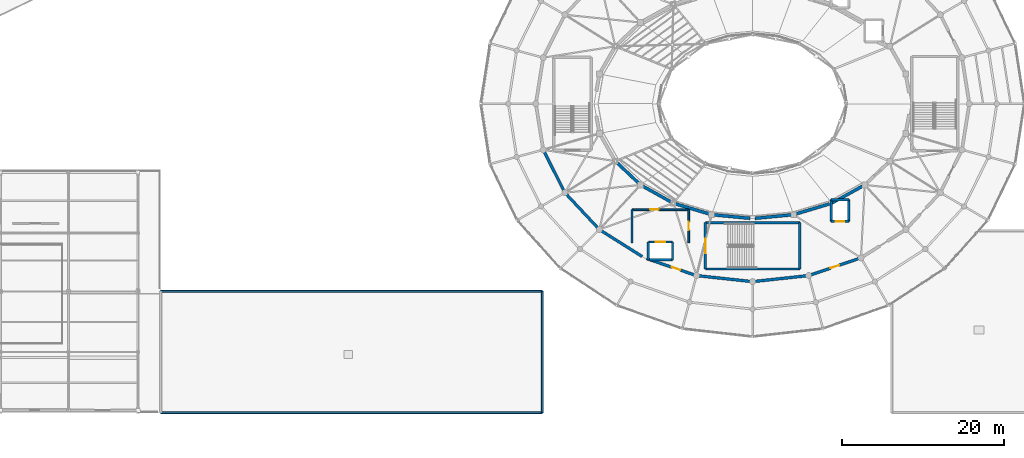
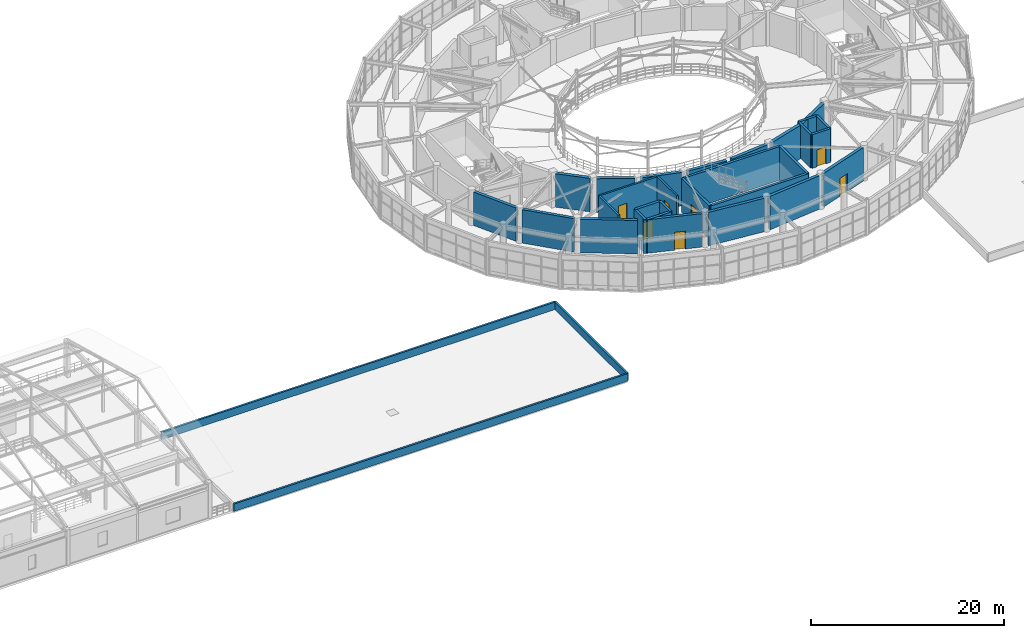
# One storey, part 84 of 112: 32 walls, 7 doors, 7 openings.
"""IFC4 building model written with IfcOpenShell, lengths in metres."""

from ifc_helpers import new_model, si_unit, direction, frame, frame_2d, origin, place, context, subcontext, project, spatial, rectangle, extrude, material, layer, layer_set, type_object, element, fill, save


model = new_model("IFC4")

# Units and contexts
model_context = context("Model", 3, precision=1e-05, world=origin(), true_north=direction((0.0, 1.0)))
body_context = subcontext(model_context, "Body", "Model", "MODEL_VIEW")
ifc_project = project(units=[si_unit("LENGTHUNIT", "METRE"), si_unit("AREAUNIT", "SQUARE_METRE"), si_unit("VOLUMEUNIT", "CUBIC_METRE"), si_unit("PLANEANGLEUNIT", "RADIAN"), si_unit("MASSUNIT", "GRAM", prefix="KILO")], contexts=[model_context])

# Site, building, storey
site_placement = place(None, origin())
site = spatial("IfcSite", under=ifc_project, at=site_placement, CompositionType="ELEMENT")
building_placement = place(site_placement, origin())
building = spatial("IfcBuilding", under=site, at=building_placement, Name="Cinderbank Siding Concert Hall", CompositionType="ELEMENT")
storey_placement = place(building_placement, frame((0.0, 0.0, 10.199951171875)))
storey = spatial("IfcBuildingStorey", under=building, at=storey_placement, Name="L03", CompositionType="ELEMENT", Elevation=10.199951171875)

# Walls
ifc_material_1 = material(Name="Reinforced concrete AS 3600 N50 (50 MPa)", Category="concrete")
ifc_layer_1 = layer(ifc_material_1, 0.3798828125)
ifc_layer_set_1 = layer_set([ifc_layer_1], Name="Reinforced concrete AS 3600 N50 (50 MPa)")
wall_type_1 = type_object("IfcWallType", Name="WL-01 Structural Wall 380mm", PredefinedType="SOLIDWALL", material=ifc_layer_set_1)
wall_1_placement = place(storey_placement, frame((105.233154296875, 36.704345703125, 0.0), z_axis=(0.0, 0.0, 1.0), x_axis=(0.727127996206, -0.686501913423, 0.0)))
element("IfcWall", 1, at=wall_1_placement, inside=storey, type_object=wall_type_1, Name="L03 Structural Wall SW-E1-L03-15", PredefinedType="SOLIDWALL", context=body_context, shape_type="SweptSolid", body=[
    extrude(rectangle(XDim=3.7138671875, YDim=0.3798828125, at=frame_2d((1.85693359375, 0.0))), origin(), (0.0, 0.0, 1.0), 4.239990234375),
])
wall_2_placement = place(storey_placement, frame((108.389892578125, 33.820556640625, 0.0), z_axis=(0.0, 0.0, 1.0), x_axis=(0.87401308715, -0.485902380618, 0.0)))
element("IfcWall", 2, at=wall_2_placement, inside=storey, type_object=wall_type_1, Name="L03 Structural Wall SW-E1-L03-16", PredefinedType="SOLIDWALL", context=body_context, shape_type="SweptSolid", body=[
    extrude(rectangle(XDim=4.074462890625, YDim=0.3798828125, at=frame_2d((2.037109375, 0.0))), origin(), (0.0, 0.0, 1.0), 4.239990234375),
])
wall_3_placement = place(storey_placement, frame((112.472900390625, 31.62060546875, 0.0), z_axis=(0.0, 0.0, 1.0), x_axis=(0.957792414988, -0.287460762177, 0.0)))
element("IfcWall", 3, at=wall_3_placement, inside=storey, type_object=wall_type_1, Name="L03 Structural Wall SW-E1-L03-17", PredefinedType="SOLIDWALL", context=body_context, shape_type="SweptSolid", body=[
    extrude(rectangle(XDim=4.365478515625, YDim=0.3798828125, at=frame_2d((2.1826171875, 0.0))), origin(), (0.0, 0.0, 1.0), 4.239990234375),
])
for number, where, z_axis, x_axis, name in (
    (4, (117.210693359375, 30.2568359375, 0.0), (0.0, 0.0, 1.0), (0.995484276796, -0.094926575052, 0.0), "L03 Structural Wall SW-E1-L03-18"),
    (5, (122.298583984375, 29.82861328125, 0.0), (0.0, 0.0, 1.0), (0.995484276796, 0.094926575052, 0.0), "L03 Structural Wall SW-E1-L03-19"),
):
    element("IfcWall", number, at=place(storey_placement, frame(where, z_axis=z_axis, x_axis=x_axis)), inside=storey, type_object=wall_type_1, Name=name, PredefinedType="SOLIDWALL", context=body_context, shape_type="SweptSolid", body=[
        extrude(rectangle(XDim=4.510986328125, YDim=0.3798828125, at=frame_2d((2.25537109375, 0.0))), origin(), (0.0, 0.0, 1.0), 4.239990234375),
    ])
wall_4_placement = place(storey_placement, frame((127.345947265625, 30.36572265625, 0.0), z_axis=(0.0, 0.0, 1.0), x_axis=(0.957796933165, 0.287445707604, 0.0)))
element("IfcWall", 6, at=wall_4_placement, inside=storey, type_object=wall_type_1, Name="L03 Structural Wall SW-E1-L03-20", PredefinedType="SOLIDWALL", context=body_context, shape_type="SweptSolid", body=[
    extrude(rectangle(XDim=4.350341796875, YDim=0.3798828125, at=frame_2d((2.17529296875, 0.0))), origin(), (0.0, 0.0, 1.0), 4.239990234375),
])
wall_5_placement = place(storey_placement, frame((131.800048828125, 31.702392578125, 0.0), z_axis=(0.0, 0.0, 1.0), x_axis=(0.874014584072, 0.485899688031, 0.0)))
element("IfcWall", 7, at=wall_5_placement, inside=storey, type_object=wall_type_1, Name="L03 Structural Wall SW-E1-L03-21", PredefinedType="SOLIDWALL", context=body_context, shape_type="SweptSolid", body=[
    extrude(rectangle(XDim=4.359375, YDim=0.3798828125, at=frame_2d((2.1796875, 0.0))), origin(), (0.0, 0.0, 1.0), 4.239990234375),
])
ifc_layer_2 = layer(ifc_material_1, 0.35009765625)
ifc_layer_set_2 = layer_set([ifc_layer_2], Name="Reinforced concrete AS 3600 N50 (50 MPa)")
wall_type_2 = type_object("IfcWallType", Name="WL-02 Structural Wall 350mm", PredefinedType="SHEAR", material=ifc_layer_set_2)
wall_6_placement = place(storey_placement, frame((96.252685546875, 38.029296875, 0.0), z_axis=(0.0, 0.0, 1.0), x_axis=(0.450512686904, -0.892770025784, 0.0)))
element("IfcWall", 8, at=wall_6_placement, inside=storey, type_object=wall_type_2, Name="L03 Structural Wall SW-E2-L03-14", PredefinedType="SHEAR", context=body_context, shape_type="SweptSolid", body=[
    extrude(rectangle(XDim=5.3232421875, YDim=0.35009765625, at=frame_2d((2.66162109375, 0.0))), origin(), (0.0, 0.0, 1.0), 4.239990234375),
])
wall_7_placement = place(storey_placement, frame((99.002197265625, 32.7734375, 0.0), z_axis=(0.0, 0.0, 1.0), x_axis=(0.682886399388, -0.730524582427, 0.0)))
element("IfcWall", 9, at=wall_7_placement, inside=storey, type_object=wall_type_2, Name="L03 Structural Wall SW-E2-L03-15", PredefinedType="SHEAR", context=body_context, shape_type="SweptSolid", body=[
    extrude(rectangle(XDim=5.616943359375, YDim=0.35009765625, at=frame_2d((2.80859375, 0.0))), origin(), (0.0, 0.0, 1.0), 4.239990234375),
])
wall_8_placement = place(storey_placement, frame((103.311767578125, 28.278564453125, 0.0), z_axis=(0.0, 0.0, 1.0), x_axis=(0.846132783073, -0.532972150688, 0.0)))
element("IfcWall", 10, at=wall_8_placement, inside=storey, type_object=wall_type_2, Name="L03 Structural Wall SW-E2-L03-16", PredefinedType="SHEAR", context=body_context, shape_type="SweptSolid", body=[
    extrude(rectangle(XDim=5.949951171875, YDim=0.35009765625, at=frame_2d((2.97509765625, 0.0))), origin(), (0.0, 0.0, 1.0), 4.239990234375),
])

# Wall, opening, door
wall_9_placement = place(storey_placement, frame((108.884033203125, 24.850830078125, 0.0), z_axis=(0.0, 0.0, 1.0), x_axis=(0.946761494057, -0.321935821821, 0.0)))
wall_9 = element("IfcWall", 11, at=wall_9_placement, inside=storey, type_object=wall_type_2, Name="L03 Structural Wall SW-E2-L03-17", PredefinedType="SHEAR", context=body_context, shape_type="SweptSolid", body=[
    extrude(rectangle(XDim=6.217041015625, YDim=0.35009765625, at=frame_2d((3.1083984375, 0.0))), origin(), (0.0, 0.0, 1.0), 4.239990234375),
])
opening_1_placement = place(wall_9_placement, frame((3.298583984375, 0.0, 0.0)))
opening_1 = element("IfcOpeningElement", 12, at=opening_1_placement, cuts=wall_9, Name="Opening D-19", PredefinedType="OPENING", context=body_context, shape_type="SweptSolid", body=[
    extrude(rectangle(XDim=1.1201171875, YDim=2.260009765625, at=frame_2d((0.56005859375, 1.1298828125))), frame((0.0, 0.18701171875, 0.0), z_axis=(0.0, -1.0, 0.0), x_axis=(1.0, 0.0, 0.0)), (0.0, 0.0, 1.0), 0.3740234375),
])
ifc_material_2 = material(Name="Solid-core spotted gum acoustic timber", Category="wood")
door_type_1 = type_object("IfcDoorType", Name="D-19 Interior Door 1120x2260", OperationType="NOTDEFINED", PredefinedType="DOOR", material=ifc_material_2)
door_1_placement = place(opening_1_placement, origin())
door_1 = element("IfcDoor", 13, at=door_1_placement, inside=storey, type_object=door_type_1, Name="L03 Auditorium Sound-Lock Door L03-D148", OperationType="SINGLE_SWING_LEFT", OverallHeight=2.260009765625, OverallWidth=1.1201171875, PredefinedType="DOOR", context=body_context, shape_type="SweptSolid", body=[
    extrude(rectangle(XDim=1.1201171875, YDim=2.260009765625, at=frame_2d((0.56005859375, 1.1298828125))), frame((0.0, 0.02490234375, 0.0), z_axis=(0.0, -1.0, 0.0), x_axis=(1.0, 0.0, 0.0)), (0.0, 0.0, 1.0), 0.050048828125),
])
fill(opening_1, door_1)

# Walls
for number, where, z_axis, x_axis, name in (
    (14, (115.371826171875, 22.71630859375, 0.0), (0.0, 0.0, 1.0), (0.99420948753, -0.107459270912, 0.0), "L03 Structural Wall SW-E2-L03-18"),
    (15, (122.30810546875, 22.033203125, 0.0), (0.0, 0.0, 1.0), (0.99420948753, 0.107459270912, 0.0), "L03 Structural Wall SW-E2-L03-19"),
):
    element("IfcWall", number, at=place(storey_placement, frame(where, z_axis=z_axis, x_axis=x_axis)), inside=storey, type_object=wall_type_2, Name=name, PredefinedType="SHEAR", context=body_context, shape_type="SweptSolid", body=[
        extrude(rectangle(XDim=6.35693359375, YDim=0.35009765625, at=frame_2d((3.178466796875, 0.0))), origin(), (0.0, 0.0, 1.0), 4.239990234375),
    ])

# Wall, opening, door
wall_10_placement = place(storey_placement, frame((129.22998046875, 22.849365234375, 0.0), z_axis=(0.0, 0.0, 1.0), x_axis=(0.946758358714, 0.321945042213, 0.0)))
wall_10 = element("IfcWall", 16, at=wall_10_placement, inside=storey, type_object=wall_type_2, Name="L03 Structural Wall SW-E2-L03-20", PredefinedType="SHEAR", context=body_context, shape_type="SweptSolid", body=[
    extrude(rectangle(XDim=6.20703125, YDim=0.35009765625, at=frame_2d((3.103515625, 0.0))), origin(), (0.0, 0.0, 1.0), 4.239990234375),
])
opening_2_placement = place(wall_10_placement, frame((2.54345703125, 0.0, 0.0)))
opening_2 = element("IfcOpeningElement", 17, at=opening_2_placement, cuts=wall_10, Name="Opening D-19", PredefinedType="OPENING", context=body_context, shape_type="SweptSolid", body=[
    extrude(rectangle(XDim=1.1201171875, YDim=2.260009765625, at=frame_2d((0.56005859375, 1.1298828125))), frame((0.0, 0.18701171875, 0.0), z_axis=(0.0, -1.0, 0.0), x_axis=(1.0, 0.0, 0.0)), (0.0, 0.0, 1.0), 0.3740234375),
])
door_2_placement = place(opening_2_placement, origin())
door_2 = element("IfcDoor", 18, at=door_2_placement, inside=storey, type_object=door_type_1, Name="L03 Auditorium Sound-Lock Door L03-D149", OperationType="SINGLE_SWING_RIGHT", OverallHeight=2.260009765625, OverallWidth=1.1201171875, PredefinedType="DOOR", context=body_context, shape_type="SweptSolid", body=[
    extrude(rectangle(XDim=1.1201171875, YDim=2.260009765625, at=frame_2d((0.56005859375, 1.1298828125))), frame((0.0, 0.02490234375, 0.0), z_axis=(0.0, -1.0, 0.0), x_axis=(1.0, 0.0, 0.0)), (0.0, 0.0, 1.0), 0.050048828125),
])
fill(opening_2, door_2)

ifc_layer_3 = layer(ifc_material_1, 0.300048828125)
ifc_layer_set_3 = layer_set([ifc_layer_3], Name="Reinforced concrete AS 3600 N50 (50 MPa)")
wall_type_3 = type_object("IfcWallType", Name="WL-03 Structural Wall 300mm", PredefinedType="SHEAR", material=ifc_layer_set_3)
wall_11_placement = place(storey_placement, frame((116.159912109375, 23.56005859375, 0.0), z_axis=(0.0, 0.0, 1.0), x_axis=(0.0, 1.0, 0.0)))
wall_11 = element("IfcWall", 19, at=wall_11_placement, inside=storey, type_object=wall_type_3, Name="L03 ST-02 Core Wall ENTRY", PredefinedType="SHEAR", context=body_context, shape_type="SweptSolid", body=[
    extrude(rectangle(XDim=5.739990234375, YDim=0.300048828125, at=frame_2d((2.8701171875, 0.0))), origin(), (0.0, 0.0, 1.0), 4.25),
])
opening_3_placement = place(wall_11_placement, frame((1.969970703125, 0.0, 0.0)))
opening_3 = element("IfcOpeningElement", 20, at=opening_3_placement, cuts=wall_11, Name="Opening D-05", PredefinedType="OPENING", context=body_context, shape_type="SweptSolid", body=[
    extrude(rectangle(XDim=1.800048828125, YDim=2.199951171875, at=frame_2d((0.89990234375, 1.10009765625))), frame((0.0, 0.162109375, 0.0), z_axis=(0.0, -1.0, 0.0), x_axis=(1.0, 0.0, 0.0)), (0.0, 0.0, 1.0), 0.323974609375),
])
ifc_material_3 = material(Name="Galvanised sheet steel acoustic fire door assembly", Category="steel")
door_type_2 = type_object("IfcDoorType", Name="D-05 Interior Door 1800x2200", OperationType="DOUBLE_DOOR_SINGLE_SWING", PredefinedType="DOOR", material=ifc_material_3)
door_3_placement = place(opening_3_placement, origin())
door_3 = element("IfcDoor", 21, at=door_3_placement, inside=storey, type_object=door_type_2, Name="L03 ST-02 Fire Stair Door L03-D011", OperationType="DOUBLE_DOOR_SINGLE_SWING", OverallHeight=2.199951171875, OverallWidth=1.800048828125, PredefinedType="DOOR", context=body_context, shape_type="SweptSolid", body=[
    extrude(rectangle(XDim=1.800048828125, YDim=2.199951171875, at=frame_2d((0.89990234375, 1.10009765625))), frame((0.0, 0.02490234375, 0.0), z_axis=(0.0, -1.0, 0.0), x_axis=(1.0, 0.0, 0.0)), (0.0, 0.0, 1.0), 0.050048828125),
])
fill(opening_3, door_3)

# Walls
wall_12_placement = place(storey_placement, frame((127.840087890625, 29.300048828125, 0.0), z_axis=(0.0, 0.0, 1.0), x_axis=(0.0, -1.0, 0.0)))
element("IfcWall", 22, at=wall_12_placement, inside=storey, type_object=wall_type_3, Name="L03 ST-02 Core Wall FAR", PredefinedType="SHEAR", context=body_context, shape_type="SweptSolid", body=[
    extrude(rectangle(XDim=5.739990234375, YDim=0.300048828125, at=frame_2d((2.8701171875, 0.0))), origin(), (0.0, 0.0, 1.0), 4.25),
])
for number, where, z_axis, x_axis, name in (
    (23, (127.840087890625, 23.56005859375, 0.0), (0.0, 0.0, 1.0), (-1.0, 0.0, 0.0), "L03 ST-02 Core Wall SIDE1"),
    (24, (116.159912109375, 29.300048828125, 0.0), (0.0, 0.0, 1.0), (1.0, 0.0, 0.0), "L03 ST-02 Core Wall SIDE2"),
):
    element("IfcWall", number, at=place(storey_placement, frame(where, z_axis=z_axis, x_axis=x_axis)), inside=storey, type_object=wall_type_3, Name=name, PredefinedType="SHEAR", context=body_context, shape_type="SweptSolid", body=[
        extrude(rectangle(XDim=11.68017578125, YDim=0.300048828125, at=frame_2d((5.840087890625, 0.0))), origin(), (0.0, 0.0, 1.0), 4.25),
    ])

# Wall, opening, door
wall_13_placement = place(storey_placement, frame((133.89990234375, 29.449951171875, 0.0), z_axis=(0.0, 0.0, 1.0), x_axis=(-1.0, 0.0, 0.0)))
wall_13 = element("IfcWall", 25, at=wall_13_placement, inside=storey, type_object=wall_type_3, Name="L03 LF-02 Shaft Wall -Y", PredefinedType="SHEAR", context=body_context, shape_type="SweptSolid", body=[
    extrude(rectangle(XDim=2.199951171875, YDim=0.300048828125, at=frame_2d((1.10009765625, 0.0))), origin(), (0.0, 0.0, 1.0), 4.25),
])
opening_4_placement = place(wall_13_placement, frame((0.550048828125, 0.0, 0.0)))
opening_4 = element("IfcOpeningElement", 26, at=opening_4_placement, cuts=wall_13, Name="Opening LD-01", PredefinedType="OPENING", context=body_context, shape_type="SweptSolid", body=[
    extrude(rectangle(XDim=1.10009765625, YDim=2.14990234375, at=frame_2d((0.550048828125, 1.074951171875))), frame((0.0, 0.162109375, 0.0), z_axis=(0.0, -1.0, 0.0), x_axis=(1.0, 0.0, 0.0)), (0.0, 0.0, 1.0), 0.323974609375),
])
door_type_3 = type_object("IfcDoorType", Name="LD-01 Interior Door 1100x2150", OperationType="DOUBLE_DOOR_SLIDING", PredefinedType="DOOR", material=ifc_material_3)
door_4_placement = place(opening_4_placement, origin())
door_4 = element("IfcDoor", 27, at=door_4_placement, inside=storey, type_object=door_type_3, Name="L03 LF-02 Sliding Landing Door", OperationType="DOUBLE_DOOR_SLIDING", OverallHeight=2.14990234375, OverallWidth=1.10009765625, PredefinedType="DOOR", context=body_context, shape_type="SweptSolid", body=[
    extrude(rectangle(XDim=1.10009765625, YDim=2.14990234375, at=frame_2d((0.550048828125, 1.074951171875))), frame((0.0, 0.02490234375, 0.0), z_axis=(0.0, -1.0, 0.0), x_axis=(1.0, 0.0, 0.0)), (0.0, 0.0, 1.0), 0.050048828125),
])
fill(opening_4, door_4)

# Walls
wall_14_placement = place(storey_placement, frame((133.89990234375, 32.14990234375, 0.0), z_axis=(0.0, 0.0, 1.0), x_axis=(0.0, -1.0, 0.0)))
element("IfcWall", 28, at=wall_14_placement, inside=storey, type_object=wall_type_3, Name="L03 LF-02 Shaft Wall +X", PredefinedType="SHEAR", context=body_context, shape_type="SweptSolid", body=[
    extrude(rectangle(XDim=2.699951171875, YDim=0.300048828125, at=frame_2d((1.35009765625, 0.0))), origin(), (0.0, 0.0, 1.0), 4.25),
])
wall_15_placement = place(storey_placement, frame((131.699951171875, 32.14990234375, 0.0), z_axis=(0.0, 0.0, 1.0), x_axis=(1.0, 0.0, 0.0)))
element("IfcWall", 29, at=wall_15_placement, inside=storey, type_object=wall_type_3, Name="L03 LF-02 Shaft Wall +Y", PredefinedType="SHEAR", context=body_context, shape_type="SweptSolid", body=[
    extrude(rectangle(XDim=2.199951171875, YDim=0.300048828125, at=frame_2d((1.10009765625, 0.0))), origin(), (0.0, 0.0, 1.0), 4.239990234375),
])
wall_16_placement = place(storey_placement, frame((131.699951171875, 29.449951171875, 0.0), z_axis=(0.0, 0.0, 1.0), x_axis=(0.0, 1.0, 0.0)))
element("IfcWall", 30, at=wall_16_placement, inside=storey, type_object=wall_type_3, Name="L03 LF-02 Shaft Wall -X", PredefinedType="SHEAR", context=body_context, shape_type="SweptSolid", body=[
    extrude(rectangle(XDim=2.699951171875, YDim=0.300048828125, at=frame_2d((1.35009765625, 0.0))), origin(), (0.0, 0.0, 1.0), 4.239990234375),
])
wall_17_placement = place(storey_placement, frame((112.10009765625, 24.699951171875, 0.0), z_axis=(0.0, 0.0, 1.0), x_axis=(-1.0, 0.0, 0.0)))
element("IfcWall", 31, at=wall_17_placement, inside=storey, type_object=wall_type_3, Name="L03 LF-05 Shaft Wall -Y", PredefinedType="SHEAR", context=body_context, shape_type="SweptSolid", body=[
    extrude(rectangle(XDim=3.0, YDim=0.300048828125, at=frame_2d((1.5, 0.0))), origin(), (0.0, 0.0, 1.0), 4.239990234375),
])
wall_18_placement = place(storey_placement, frame((112.10009765625, 26.89990234375, 0.0), z_axis=(0.0, 0.0, 1.0), x_axis=(0.0, -1.0, 0.0)))
element("IfcWall", 32, at=wall_18_placement, inside=storey, type_object=wall_type_3, Name="L03 LF-05 Shaft Wall +X", PredefinedType="SHEAR", context=body_context, shape_type="SweptSolid", body=[
    extrude(rectangle(XDim=2.199951171875, YDim=0.300048828125, at=frame_2d((1.10009765625, 0.0))), origin(), (0.0, 0.0, 1.0), 4.25),
])

# Wall, opening, door
wall_19_placement = place(storey_placement, frame((109.10009765625, 26.89990234375, 0.0), z_axis=(0.0, 0.0, 1.0), x_axis=(1.0, 0.0, 0.0)))
wall_19 = element("IfcWall", 33, at=wall_19_placement, inside=storey, type_object=wall_type_3, Name="L03 LF-05 Shaft Wall +Y", PredefinedType="SHEAR", context=body_context, shape_type="SweptSolid", body=[
    extrude(rectangle(XDim=3.0, YDim=0.300048828125, at=frame_2d((1.5, 0.0))), origin(), (0.0, 0.0, 1.0), 4.25),
])
opening_5_placement = place(wall_19_placement, frame((0.89990234375, 0.0, 0.0)))
opening_5 = element("IfcOpeningElement", 34, at=opening_5_placement, cuts=wall_19, Name="Opening LD-02", PredefinedType="OPENING", context=body_context, shape_type="SweptSolid", body=[
    extrude(rectangle(XDim=1.199951171875, YDim=2.14990234375, at=frame_2d((0.60009765625, 1.074951171875))), frame((0.0, 0.162109375, 0.0), z_axis=(0.0, -1.0, 0.0), x_axis=(1.0, 0.0, 0.0)), (0.0, 0.0, 1.0), 0.323974609375),
])
door_type_4 = type_object("IfcDoorType", Name="LD-02 Interior Door 1200x2150", OperationType="DOUBLE_DOOR_SLIDING", PredefinedType="DOOR", material=ifc_material_3)
door_5_placement = place(opening_5_placement, origin())
door_5 = element("IfcDoor", 35, at=door_5_placement, inside=storey, type_object=door_type_4, Name="L03 LF-05 Sliding Landing Door", OperationType="DOUBLE_DOOR_SLIDING", OverallHeight=2.14990234375, OverallWidth=1.199951171875, PredefinedType="DOOR", context=body_context, shape_type="SweptSolid", body=[
    extrude(rectangle(XDim=1.199951171875, YDim=2.14990234375, at=frame_2d((0.60009765625, 1.074951171875))), frame((0.0, 0.02490234375, 0.0), z_axis=(0.0, -1.0, 0.0), x_axis=(1.0, 0.0, 0.0)), (0.0, 0.0, 1.0), 0.050048828125),
])
fill(opening_5, door_5)

# Wall
wall_20_placement = place(storey_placement, frame((109.10009765625, 24.699951171875, 0.0), z_axis=(0.0, 0.0, 1.0), x_axis=(0.0, 1.0, 0.0)))
element("IfcWall", 36, at=wall_20_placement, inside=storey, type_object=wall_type_3, Name="L03 LF-05 Shaft Wall -X", PredefinedType="SHEAR", context=body_context, shape_type="SweptSolid", body=[
    extrude(rectangle(XDim=2.199951171875, YDim=0.300048828125, at=frame_2d((1.10009765625, 0.0))), origin(), (0.0, 0.0, 1.0), 4.239990234375),
])

# Wall, opening, door
ifc_layer_4 = layer(ifc_material_1, 0.219970703125)
ifc_layer_set_4 = layer_set([ifc_layer_4], Name="Reinforced concrete AS 3600 N50 (50 MPa)")
wall_type_4 = type_object("IfcWallType", Name="WL-06 Interior Wall 220mm", PredefinedType="SOLIDWALL", material=ifc_layer_set_4)
wall_21_placement = place(storey_placement, frame((107.10009765625, 30.89990234375, 0.0), z_axis=(0.0, 0.0, 1.0), x_axis=(1.0, 0.0, 0.0)))
wall_21 = element("IfcWall", 37, at=wall_21_placement, inside=storey, type_object=wall_type_4, Name="L03 Firefighting Lobby Wall FFLS-N", PredefinedType="SOLIDWALL", context=body_context, shape_type="SweptSolid", body=[
    extrude(rectangle(XDim=7.0, YDim=0.219970703125, at=frame_2d((3.5, 0.0))), origin(), (0.0, 0.0, 1.0), 4.235107421875),
])
opening_6_placement = place(wall_21_placement, frame((2.22509765625, 0.0, 0.0)))
opening_6 = element("IfcOpeningElement", 38, at=opening_6_placement, cuts=wall_21, Name="Opening D-02", PredefinedType="OPENING", context=body_context, shape_type="SweptSolid", body=[
    extrude(rectangle(XDim=1.050048828125, YDim=2.14990234375, at=frame_2d((0.52490234375, 1.074951171875))), frame((0.0, 0.1220703125, 0.0), z_axis=(0.0, -1.0, 0.0), x_axis=(1.0, 0.0, 0.0)), (0.0, 0.0, 1.0), 0.243896484375),
])
door_type_5 = type_object("IfcDoorType", Name="D-02 Interior Door 1050x2150", OperationType="NOTDEFINED", PredefinedType="DOOR", material=ifc_material_3)
door_6_placement = place(opening_6_placement, origin())
door_6 = element("IfcDoor", 39, at=door_6_placement, inside=storey, type_object=door_type_5, Name="L03 Firefighting Lobby Door L03-D076", OperationType="SINGLE_SWING_LEFT", OverallHeight=2.14990234375, OverallWidth=1.050048828125, PredefinedType="DOOR", context=body_context, shape_type="SweptSolid", body=[
    extrude(rectangle(XDim=1.050048828125, YDim=2.14990234375, at=frame_2d((0.52490234375, 1.074951171875))), frame((0.0, 0.02490234375, 0.0), z_axis=(0.0, -1.0, 0.0), x_axis=(1.0, 0.0, 0.0)), (0.0, 0.0, 1.0), 0.050048828125),
])
fill(opening_6, door_6)

# Wall
wall_22_placement = place(storey_placement, frame((107.10009765625, 26.800048828125, 0.0), z_axis=(0.0, 0.0, 1.0), x_axis=(0.0, 1.0, 0.0)))
element("IfcWall", 40, at=wall_22_placement, inside=storey, type_object=wall_type_4, Name="L03 Firefighting Lobby Wall FFLS-W", PredefinedType="SOLIDWALL", context=body_context, shape_type="SweptSolid", body=[
    extrude(rectangle(XDim=4.099853515625, YDim=0.219970703125, at=frame_2d((2.0498046875, 0.0))), origin(), (0.0, 0.0, 1.0), 4.235107421875),
])

# Wall, opening, door
wall_23_placement = place(storey_placement, frame((114.10009765625, 30.89990234375, 0.0), z_axis=(0.0, 0.0, 1.0), x_axis=(0.0, -1.0, 0.0)))
wall_23 = element("IfcWall", 41, at=wall_23_placement, inside=storey, type_object=wall_type_4, Name="L03 Firefighting Lobby Wall FFLS-E", PredefinedType="SOLIDWALL", context=body_context, shape_type="SweptSolid", body=[
    extrude(rectangle(XDim=4.099853515625, YDim=0.219970703125, at=frame_2d((2.0498046875, 0.0))), origin(), (0.0, 0.0, 1.0), 4.235107421875),
])
opening_7_placement = place(wall_23_placement, frame((1.52490234375, 0.0, 0.0)))
opening_7 = element("IfcOpeningElement", 42, at=opening_7_placement, cuts=wall_23, Name="Opening D-02", PredefinedType="OPENING", context=body_context, shape_type="SweptSolid", body=[
    extrude(rectangle(XDim=1.050048828125, YDim=2.14990234375, at=frame_2d((0.52490234375, 1.074951171875))), frame((0.0, 0.1220703125, 0.0), z_axis=(0.0, -1.0, 0.0), x_axis=(1.0, 0.0, 0.0)), (0.0, 0.0, 1.0), 0.243896484375),
])
door_7_placement = place(opening_7_placement, origin())
door_7 = element("IfcDoor", 43, at=door_7_placement, inside=storey, type_object=door_type_5, Name="L03 Firefighting Lobby Door L03-D077", OperationType="SINGLE_SWING_RIGHT", OverallHeight=2.14990234375, OverallWidth=1.050048828125, PredefinedType="DOOR", context=body_context, shape_type="SweptSolid", body=[
    extrude(rectangle(XDim=1.050048828125, YDim=2.14990234375, at=frame_2d((0.52490234375, 1.074951171875))), frame((0.0, 0.02490234375, 0.0), z_axis=(0.0, -1.0, 0.0), x_axis=(1.0, 0.0, 0.0)), (0.0, 0.0, 1.0), 0.050048828125),
])
fill(opening_7, door_7)

# Walls
ifc_material_4 = material(Name="Clinker clay brickwork masonry AS 3700 (20 MPa)", Category="masonry")
ifc_layer_5 = layer(ifc_material_4, 0.22998046875)
ifc_layer_set_5 = layer_set([ifc_layer_5], Name="Clinker clay brickwork masonry AS 3700 (20 MPa)")
wall_type_5 = type_object("IfcWallType", Name="WL-10 Exterior Wall 230mm", PredefinedType="PARAPET", material=ifc_layer_set_5)
wall_24_placement = place(storey_placement, frame((96.0, 20.800048828125, -0.119873046875), z_axis=(0.0, 0.0, 1.0), x_axis=(0.0, -1.0, 0.0)))
element("IfcWall", 44, at=wall_24_placement, inside=storey, type_object=wall_type_5, Name="Roof Parapet ROOF-L03-SL-0", PredefinedType="PARAPET", context=body_context, shape_type="SweptSolid", body=[
    extrude(rectangle(XDim=15.0, YDim=0.22998046875, at=frame_2d((7.5, 0.0))), origin(), (0.0, 0.0, 1.0), 0.949951171875),
])
for number, where, z_axis, x_axis, name in (
    (45, (96.0, 5.800048828125, -0.119873046875), (0.0, 0.0, 1.0), (-1.0, 0.0, 0.0), "Roof Parapet ROOF-L03-SL-1"),
    (46, (48.800048828125, 20.800048828125, -0.119873046875), (0.0, 0.0, 1.0), (1.0, 0.0, 0.0), "Roof Parapet ROOF-L03-SL-3"),
):
    element("IfcWall", number, at=place(storey_placement, frame(where, z_axis=z_axis, x_axis=x_axis)), inside=storey, type_object=wall_type_5, Name=name, PredefinedType="PARAPET", context=body_context, shape_type="SweptSolid", body=[
        extrude(rectangle(XDim=47.199951171875, YDim=0.22998046875, at=frame_2d((23.60009765625, 0.0))), origin(), (0.0, 0.0, 1.0), 0.949951171875),
    ])

save(model, "model.ifc")
